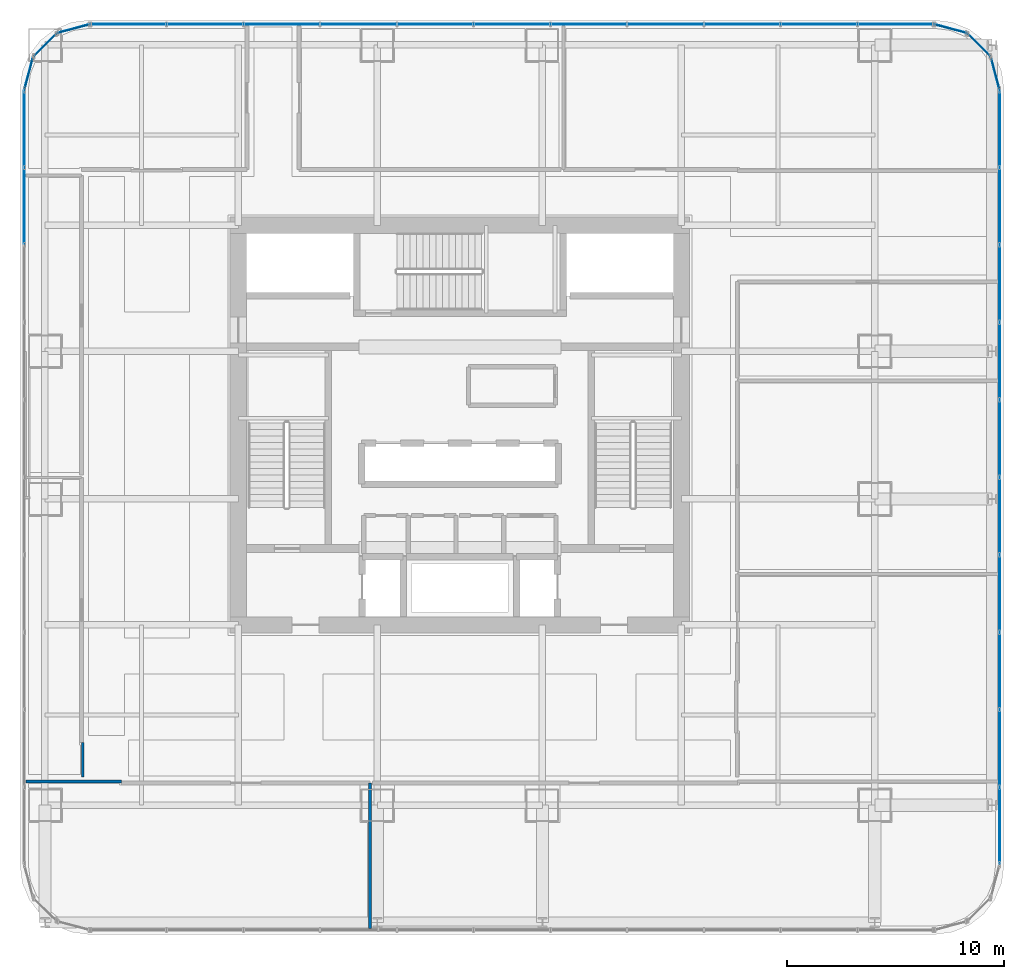
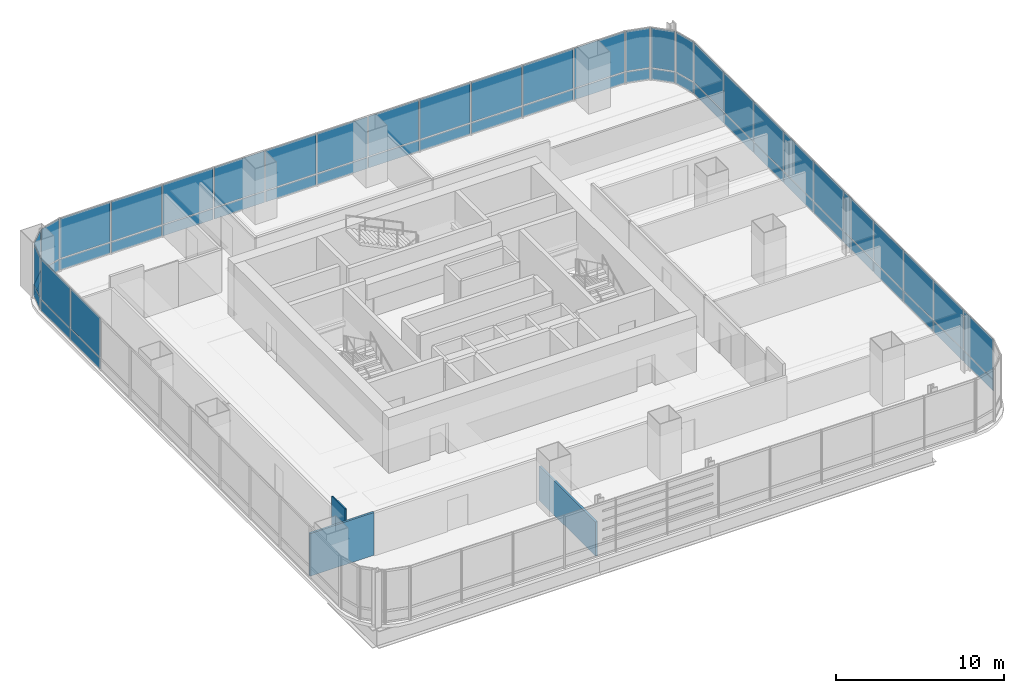
# One storey, part 26 of 35: 58 plates, 3 walls, 9 elements without a shape of their own.
"""IFC4 building model written with IfcOpenShell, lengths in metres."""

from ifc_helpers import new_model, si_unit, direction, frame, frame_2d, origin, origin_2d, place, context, subcontext, project, spatial, rectangle, extrude, material, layer, layer_set, type_object, element, aggregate, save


model = new_model("IFC4")

# Units and contexts
model_context = context("Model", 3, precision=1e-05, world=origin(), true_north=direction((0.0, 1.0)))
body_context = subcontext(model_context, "Body", "Model", "MODEL_VIEW")
ifc_project = project(units=[si_unit("LENGTHUNIT", "METRE"), si_unit("AREAUNIT", "SQUARE_METRE"), si_unit("VOLUMEUNIT", "CUBIC_METRE"), si_unit("PLANEANGLEUNIT", "RADIAN"), si_unit("MASSUNIT", "GRAM", prefix="KILO")], contexts=[model_context])

# Site, building, storey
site_placement = place(None, origin())
site = spatial("IfcSite", under=ifc_project, at=site_placement, CompositionType="ELEMENT")
building_placement = place(site_placement, origin())
building = spatial("IfcBuilding", under=site, at=building_placement, Name="Punatoya Terracotta Tower", CompositionType="ELEMENT")
storey_placement = place(building_placement, frame((0.0, 0.0, 64.64990234375)))
storey = spatial("IfcBuildingStorey", under=building, at=storey_placement, Name="L14", CompositionType="ELEMENT", Elevation=64.64990234375)

# Curtain wall, plates
ifc_material_1 = material(Name="Aluminium 6063-T6 + Double Low-E Glass", Category="aluminium")
curtain_wall_type = type_object("IfcCurtainWallType", Name="CW-M1", PredefinedType="NOTDEFINED", material=ifc_material_1)
curtain_wall_1_placement = place(storey_placement, origin())
curtain_wall_1 = element("IfcCurtainWall", 1, at=curtain_wall_1_placement, inside=storey, type_object=curtain_wall_type, Name="L14 Curtain Wall CW-L14-E05-1", PredefinedType="NOTDEFINED")
ifc_material_2 = material(Name="Double Low-E Clear Vision Glass", Category="glass")
ifc_layer_1 = layer(ifc_material_2, 0.028076171875)
ifc_layer_set_1 = layer_set([ifc_layer_1], Name="Double Low-E Clear Vision Glass")
plate_type_1 = type_object("IfcPlateType", Name="PLT-GLZ-28", PredefinedType="CURTAIN_PANEL", material=ifc_layer_set_1)
plate_1_placement = place(storey_placement, frame((24.85009765625, -18.453125, 0.89013671875), z_axis=(0.0, 0.0, 1.0), x_axis=(0.0, 1.0, 0.0)))
plate_1 = element("IfcPlate", 2, at=plate_1_placement, type_object=plate_type_1, Name="CW-L14-E05-1 Vision Glass Panel 1", PredefinedType="CURTAIN_PANEL", context=body_context, shape_type="SweptSolid", body=[
    extrude(rectangle(XDim=3.482421875, YDim=0.028076171875, at=origin_2d()), origin(), (0.0, 0.0, 1.0), 2.8798828125),
])
plate_2_placement = place(storey_placement, frame((24.85009765625, -14.8857421875, 0.89013671875), z_axis=(0.0, 0.0, 1.0), x_axis=(0.0, 1.0, 0.0)))
plate_2 = element("IfcPlate", 3, at=plate_2_placement, type_object=plate_type_1, Name="CW-L14-E05-1 Vision Glass Panel 2", PredefinedType="CURTAIN_PANEL", context=body_context, shape_type="SweptSolid", body=[
    extrude(rectangle(XDim=3.482421875, YDim=0.028076171875, at=origin_2d()), origin(), (0.0, 0.0, 1.0), 2.8798828125),
])
plate_3_placement = place(storey_placement, frame((24.85009765625, -11.318359375, 0.89013671875), z_axis=(0.0, 0.0, 1.0), x_axis=(0.0, 1.0, 0.0)))
plate_3 = element("IfcPlate", 4, at=plate_3_placement, type_object=plate_type_1, Name="CW-L14-E05-1 Vision Glass Panel 3", PredefinedType="CURTAIN_PANEL", context=body_context, shape_type="SweptSolid", body=[
    extrude(rectangle(XDim=3.482421875, YDim=0.028076171875, at=origin_2d()), origin(), (0.0, 0.0, 1.0), 2.8798828125),
])
plate_4_placement = place(storey_placement, frame((24.85009765625, -7.751220703125, 0.89013671875), z_axis=(0.0, 0.0, 1.0), x_axis=(0.0, 1.0, 0.0)))
plate_4 = element("IfcPlate", 5, at=plate_4_placement, type_object=plate_type_1, Name="CW-L14-E05-1 Vision Glass Panel 4", PredefinedType="CURTAIN_PANEL", context=body_context, shape_type="SweptSolid", body=[
    extrude(rectangle(XDim=3.482421875, YDim=0.028076171875, at=origin_2d()), origin(), (0.0, 0.0, 1.0), 2.8798828125),
])
plate_5_placement = place(storey_placement, frame((24.85009765625, -4.18359375, 0.89013671875), z_axis=(0.0, 0.0, 1.0), x_axis=(0.0, 1.0, 0.0)))
plate_5 = element("IfcPlate", 6, at=plate_5_placement, type_object=plate_type_1, Name="CW-L14-E05-1 Vision Glass Panel 5", PredefinedType="CURTAIN_PANEL", context=body_context, shape_type="SweptSolid", body=[
    extrude(rectangle(XDim=3.482421875, YDim=0.028076171875, at=origin_2d()), origin(), (0.0, 0.0, 1.0), 2.8798828125),
])
plate_6_placement = place(storey_placement, frame((24.85009765625, -0.6162109375, 0.89013671875), z_axis=(0.0, 0.0, 1.0), x_axis=(0.0, 1.0, 0.0)))
plate_6 = element("IfcPlate", 7, at=plate_6_placement, type_object=plate_type_1, Name="CW-L14-E05-1 Vision Glass Panel 6", PredefinedType="CURTAIN_PANEL", context=body_context, shape_type="SweptSolid", body=[
    extrude(rectangle(XDim=3.482421875, YDim=0.028076171875, at=origin_2d()), origin(), (0.0, 0.0, 1.0), 2.8798828125),
])
plate_7_placement = place(storey_placement, frame((24.85009765625, 2.951171875, 0.89013671875), z_axis=(0.0, 0.0, 1.0), x_axis=(0.0, 1.0, 0.0)))
plate_7 = element("IfcPlate", 8, at=plate_7_placement, type_object=plate_type_1, Name="CW-L14-E05-1 Vision Glass Panel 7", PredefinedType="CURTAIN_PANEL", context=body_context, shape_type="SweptSolid", body=[
    extrude(rectangle(XDim=3.482421875, YDim=0.028076171875, at=origin_2d()), origin(), (0.0, 0.0, 1.0), 2.8798828125),
])
plate_8_placement = place(storey_placement, frame((24.85009765625, 6.518310546875, 0.89013671875), z_axis=(0.0, 0.0, 1.0), x_axis=(0.0, 1.0, 0.0)))
plate_8 = element("IfcPlate", 9, at=plate_8_placement, type_object=plate_type_1, Name="CW-L14-E05-1 Vision Glass Panel 8", PredefinedType="CURTAIN_PANEL", context=body_context, shape_type="SweptSolid", body=[
    extrude(rectangle(XDim=3.482421875, YDim=0.028076171875, at=origin_2d()), origin(), (0.0, 0.0, 1.0), 2.8798828125),
])
plate_9_placement = place(storey_placement, frame((24.85009765625, 10.085693359375, 0.89013671875), z_axis=(0.0, 0.0, 1.0), x_axis=(0.0, 1.0, 0.0)))
plate_9 = element("IfcPlate", 10, at=plate_9_placement, type_object=plate_type_1, Name="CW-L14-E05-1 Vision Glass Panel 9", PredefinedType="CURTAIN_PANEL", context=body_context, shape_type="SweptSolid", body=[
    extrude(rectangle(XDim=3.482421875, YDim=0.028076171875, at=origin_2d()), origin(), (0.0, 0.0, 1.0), 2.8798828125),
])
plate_10_placement = place(storey_placement, frame((24.85009765625, 13.6533203125, 0.89013671875), z_axis=(0.0, 0.0, 1.0), x_axis=(0.0, 1.0, 0.0)))
plate_10 = element("IfcPlate", 11, at=plate_10_placement, type_object=plate_type_1, Name="CW-L14-E05-1 Vision Glass Panel 10", PredefinedType="CURTAIN_PANEL", context=body_context, shape_type="SweptSolid", body=[
    extrude(rectangle(XDim=3.482421875, YDim=0.028076171875, at=origin_2d()), origin(), (0.0, 0.0, 1.0), 2.8798828125),
])

# Curtain wall, plate
curtain_wall_2_placement = place(storey_placement, origin())
curtain_wall_2 = element("IfcCurtainWall", 12, at=curtain_wall_2_placement, inside=storey, type_object=curtain_wall_type, Name="L14 Curtain Wall CW-L14-CRN06", PredefinedType="NOTDEFINED")
plate_11_placement = place(storey_placement, frame((24.648193359375, 16.193115234375, 0.89013671875), z_axis=(0.0, 0.0, 1.0), x_axis=(-0.257741620719, 0.966213877436, 0.0)))
plate_11 = element("IfcPlate", 13, at=plate_11_placement, type_object=plate_type_1, Name="CW-L14-CRN06 Vision Glass Panel 1", PredefinedType="CURTAIN_PANEL", context=body_context, shape_type="SweptSolid", body=[
    extrude(rectangle(XDim=1.47998046875, YDim=0.028076171875, at=origin_2d()), origin(), (0.0, 0.0, 1.0), 2.8798828125),
])

curtain_wall_3_placement = place(storey_placement, origin())
curtain_wall_3 = element("IfcCurtainWall", 14, at=curtain_wall_3_placement, inside=storey, type_object=curtain_wall_type, Name="L14 Curtain Wall CW-L14-CRN07", PredefinedType="NOTDEFINED")
plate_12_placement = place(storey_placement, frame((23.89794921875, 17.497802734375, 0.89013671875), z_axis=(0.0, 0.0, 1.0), x_axis=(-0.707106781187, 0.707106781187, 0.0)))
plate_12 = element("IfcPlate", 15, at=plate_12_placement, type_object=plate_type_1, Name="CW-L14-CRN07 Vision Glass Panel 1", PredefinedType="CURTAIN_PANEL", context=body_context, shape_type="SweptSolid", body=[
    extrude(rectangle(XDim=1.467041015625, YDim=0.028076171875, at=origin_2d()), origin(), (0.0, 0.0, 1.0), 2.8798828125),
])

curtain_wall_4_placement = place(storey_placement, origin())
curtain_wall_4 = element("IfcCurtainWall", 16, at=curtain_wall_4_placement, inside=storey, type_object=curtain_wall_type, Name="L14 Curtain Wall CW-L14-CRN08", PredefinedType="NOTDEFINED")
plate_13_placement = place(storey_placement, frame((22.593017578125, 18.248291015625, 0.89013671875), z_axis=(0.0, 0.0, 1.0), x_axis=(-0.966213877436, 0.257741620719, 0.0)))
plate_13 = element("IfcPlate", 17, at=plate_13_placement, type_object=plate_type_1, Name="CW-L14-CRN08 Vision Glass Panel 1", PredefinedType="CURTAIN_PANEL", context=body_context, shape_type="SweptSolid", body=[
    extrude(rectangle(XDim=1.47998046875, YDim=0.028076171875, at=origin_2d()), origin(), (0.0, 0.0, 1.0), 2.8798828125),
])

# Curtain wall, plates
curtain_wall_5_placement = place(storey_placement, origin())
curtain_wall_5 = element("IfcCurtainWall", 18, at=curtain_wall_5_placement, inside=storey, type_object=curtain_wall_type, Name="L14 Curtain Wall CW-L14-N09-1", PredefinedType="NOTDEFINED")
plate_14_placement = place(storey_placement, frame((20.06982421875, 18.449951171875, 0.89013671875), z_axis=(0.0, 0.0, 1.0), x_axis=(-1.0, 0.0, 0.0)))
plate_14 = element("IfcPlate", 19, at=plate_14_placement, type_object=plate_type_1, Name="CW-L14-N09-1 Vision Glass Panel 1", PredefinedType="CURTAIN_PANEL", context=body_context, shape_type="SweptSolid", body=[
    extrude(rectangle(XDim=3.448974609375, YDim=0.028076171875, at=origin_2d()), origin(), (0.0, 0.0, 1.0), 2.8798828125),
])
plate_15_placement = place(storey_placement, frame((16.535888671875, 18.449951171875, 0.89013671875), z_axis=(0.0, 0.0, 1.0), x_axis=(-1.0, 0.0, 0.0)))
plate_15 = element("IfcPlate", 20, at=plate_15_placement, type_object=plate_type_1, Name="CW-L14-N09-1 Vision Glass Panel 2", PredefinedType="CURTAIN_PANEL", context=body_context, shape_type="SweptSolid", body=[
    extrude(rectangle(XDim=3.448974609375, YDim=0.028076171875, at=origin_2d()), origin(), (0.0, 0.0, 1.0), 2.8798828125),
])
plate_16_placement = place(storey_placement, frame((13.001953125, 18.449951171875, 0.89013671875), z_axis=(0.0, 0.0, 1.0), x_axis=(-1.0, 0.0, 0.0)))
plate_16 = element("IfcPlate", 21, at=plate_16_placement, type_object=plate_type_1, Name="CW-L14-N09-1 Vision Glass Panel 3", PredefinedType="CURTAIN_PANEL", context=body_context, shape_type="SweptSolid", body=[
    extrude(rectangle(XDim=3.448974609375, YDim=0.028076171875, at=origin_2d()), origin(), (0.0, 0.0, 1.0), 2.8798828125),
])
plate_17_placement = place(storey_placement, frame((9.468017578125, 18.449951171875, 0.89013671875), z_axis=(0.0, 0.0, 1.0), x_axis=(-1.0, 0.0, 0.0)))
plate_17 = element("IfcPlate", 22, at=plate_17_placement, type_object=plate_type_1, Name="CW-L14-N09-1 Vision Glass Panel 4", PredefinedType="CURTAIN_PANEL", context=body_context, shape_type="SweptSolid", body=[
    extrude(rectangle(XDim=3.448974609375, YDim=0.028076171875, at=origin_2d()), origin(), (0.0, 0.0, 1.0), 2.8798828125),
])
plate_18_placement = place(storey_placement, frame((5.93408203125, 18.449951171875, 0.89013671875), z_axis=(0.0, 0.0, 1.0), x_axis=(-1.0, 0.0, 0.0)))
plate_18 = element("IfcPlate", 23, at=plate_18_placement, type_object=plate_type_1, Name="CW-L14-N09-1 Vision Glass Panel 5", PredefinedType="CURTAIN_PANEL", context=body_context, shape_type="SweptSolid", body=[
    extrude(rectangle(XDim=3.448974609375, YDim=0.028076171875, at=origin_2d()), origin(), (0.0, 0.0, 1.0), 2.8798828125),
])
plate_19_placement = place(storey_placement, frame((2.39990234375, 18.449951171875, 0.89013671875), z_axis=(0.0, 0.0, 1.0), x_axis=(-1.0, 0.0, 0.0)))
plate_19 = element("IfcPlate", 24, at=plate_19_placement, type_object=plate_type_1, Name="CW-L14-N09-1 Vision Glass Panel 6", PredefinedType="CURTAIN_PANEL", context=body_context, shape_type="SweptSolid", body=[
    extrude(rectangle(XDim=3.448974609375, YDim=0.028076171875, at=origin_2d()), origin(), (0.0, 0.0, 1.0), 2.8798828125),
])
plate_20_placement = place(storey_placement, frame((-1.134033203125, 18.449951171875, 0.89013671875), z_axis=(0.0, 0.0, 1.0), x_axis=(-1.0, 0.0, 0.0)))
plate_20 = element("IfcPlate", 25, at=plate_20_placement, type_object=plate_type_1, Name="CW-L14-N09-1 Vision Glass Panel 7", PredefinedType="CURTAIN_PANEL", context=body_context, shape_type="SweptSolid", body=[
    extrude(rectangle(XDim=3.448974609375, YDim=0.028076171875, at=origin_2d()), origin(), (0.0, 0.0, 1.0), 2.8798828125),
])
plate_21_placement = place(storey_placement, frame((-4.66796875, 18.449951171875, 0.89013671875), z_axis=(0.0, 0.0, 1.0), x_axis=(-1.0, 0.0, 0.0)))
plate_21 = element("IfcPlate", 26, at=plate_21_placement, type_object=plate_type_1, Name="CW-L14-N09-1 Vision Glass Panel 8", PredefinedType="CURTAIN_PANEL", context=body_context, shape_type="SweptSolid", body=[
    extrude(rectangle(XDim=3.448974609375, YDim=0.028076171875, at=origin_2d()), origin(), (0.0, 0.0, 1.0), 2.8798828125),
])
plate_22_placement = place(storey_placement, frame((-8.201904296875, 18.449951171875, 0.89013671875), z_axis=(0.0, 0.0, 1.0), x_axis=(-1.0, 0.0, 0.0)))
plate_22 = element("IfcPlate", 27, at=plate_22_placement, type_object=plate_type_1, Name="CW-L14-N09-1 Vision Glass Panel 9", PredefinedType="CURTAIN_PANEL", context=body_context, shape_type="SweptSolid", body=[
    extrude(rectangle(XDim=3.448974609375, YDim=0.028076171875, at=origin_2d()), origin(), (0.0, 0.0, 1.0), 2.8798828125),
])
plate_23_placement = place(storey_placement, frame((-11.73583984375, 18.449951171875, 0.89013671875), z_axis=(0.0, 0.0, 1.0), x_axis=(-1.0, 0.0, 0.0)))
plate_23 = element("IfcPlate", 28, at=plate_23_placement, type_object=plate_type_1, Name="CW-L14-N09-1 Vision Glass Panel 10", PredefinedType="CURTAIN_PANEL", context=body_context, shape_type="SweptSolid", body=[
    extrude(rectangle(XDim=3.448974609375, YDim=0.028076171875, at=origin_2d()), origin(), (0.0, 0.0, 1.0), 2.8798828125),
])
plate_24_placement = place(storey_placement, frame((-15.27001953125, 18.449951171875, 0.89013671875), z_axis=(0.0, 0.0, 1.0), x_axis=(-1.0, 0.0, 0.0)))
plate_24 = element("IfcPlate", 29, at=plate_24_placement, type_object=plate_type_1, Name="CW-L14-N09-1 Vision Glass Panel 11", PredefinedType="CURTAIN_PANEL", context=body_context, shape_type="SweptSolid", body=[
    extrude(rectangle(XDim=3.448974609375, YDim=0.028076171875, at=origin_2d()), origin(), (0.0, 0.0, 1.0), 2.8798828125),
])

# Curtain wall, plate
curtain_wall_6_placement = place(storey_placement, origin())
curtain_wall_6 = element("IfcCurtainWall", 30, at=curtain_wall_6_placement, inside=storey, type_object=curtain_wall_type, Name="L14 Curtain Wall CW-L14-CRN10", PredefinedType="NOTDEFINED")
plate_25_placement = place(storey_placement, frame((-17.79296875, 18.248291015625, 0.89013671875), z_axis=(0.0, 0.0, 1.0), x_axis=(-0.966213877436, -0.257741620719, 0.0)))
plate_25 = element("IfcPlate", 31, at=plate_25_placement, type_object=plate_type_1, Name="CW-L14-CRN10 Vision Glass Panel 1", PredefinedType="CURTAIN_PANEL", context=body_context, shape_type="SweptSolid", body=[
    extrude(rectangle(XDim=1.47998046875, YDim=0.028076171875, at=origin_2d()), origin(), (0.0, 0.0, 1.0), 2.8798828125),
])

curtain_wall_7_placement = place(storey_placement, origin())
curtain_wall_7 = element("IfcCurtainWall", 32, at=curtain_wall_7_placement, inside=storey, type_object=curtain_wall_type, Name="L14 Curtain Wall CW-L14-CRN11", PredefinedType="NOTDEFINED")
plate_26_placement = place(storey_placement, frame((-19.097900390625, 17.497802734375, 0.89013671875), z_axis=(0.0, 0.0, 1.0), x_axis=(-0.707106781187, -0.707106781187, 0.0)))
plate_26 = element("IfcPlate", 33, at=plate_26_placement, type_object=plate_type_1, Name="CW-L14-CRN11 Vision Glass Panel 1", PredefinedType="CURTAIN_PANEL", context=body_context, shape_type="SweptSolid", body=[
    extrude(rectangle(XDim=1.467041015625, YDim=0.028076171875, at=origin_2d()), origin(), (0.0, 0.0, 1.0), 2.8798828125),
])

curtain_wall_8_placement = place(storey_placement, origin())
curtain_wall_8 = element("IfcCurtainWall", 34, at=curtain_wall_8_placement, inside=storey, type_object=curtain_wall_type, Name="L14 Curtain Wall CW-L14-CRN12", PredefinedType="NOTDEFINED")
plate_27_placement = place(storey_placement, frame((-19.848388671875, 16.193115234375, 0.89013671875), z_axis=(0.0, 0.0, 1.0), x_axis=(-0.257741620719, -0.966213877436, 0.0)))
plate_27 = element("IfcPlate", 35, at=plate_27_placement, type_object=plate_type_1, Name="CW-L14-CRN12 Vision Glass Panel 1", PredefinedType="CURTAIN_PANEL", context=body_context, shape_type="SweptSolid", body=[
    extrude(rectangle(XDim=1.47998046875, YDim=0.028076171875, at=origin_2d()), origin(), (0.0, 0.0, 1.0), 2.8798828125),
])

# Curtain wall, plates
curtain_wall_9_placement = place(storey_placement, origin())
curtain_wall_9 = element("IfcCurtainWall", 36, at=curtain_wall_9_placement, inside=storey, type_object=curtain_wall_type, Name="L14 Curtain Wall CW-L14-W13-1", PredefinedType="NOTDEFINED")
plate_28_placement = place(storey_placement, frame((-20.050048828125, 13.6533203125, 0.89013671875), z_axis=(0.0, 0.0, 1.0), x_axis=(0.0, -1.0, 0.0)))
plate_28 = element("IfcPlate", 37, at=plate_28_placement, type_object=plate_type_1, Name="CW-L14-W13-1 Vision Glass Panel 1", PredefinedType="CURTAIN_PANEL", context=body_context, shape_type="SweptSolid", body=[
    extrude(rectangle(XDim=3.482421875, YDim=0.028076171875, at=origin_2d()), origin(), (0.0, 0.0, 1.0), 2.8798828125),
])
plate_29_placement = place(storey_placement, frame((-20.050048828125, 10.085693359375, 0.89013671875), z_axis=(0.0, 0.0, 1.0), x_axis=(0.0, -1.0, 0.0)))
plate_29 = element("IfcPlate", 38, at=plate_29_placement, type_object=plate_type_1, Name="CW-L14-W13-1 Vision Glass Panel 2", PredefinedType="CURTAIN_PANEL", context=body_context, shape_type="SweptSolid", body=[
    extrude(rectangle(XDim=3.482421875, YDim=0.028076171875, at=origin_2d()), origin(), (0.0, 0.0, 1.0), 2.8798828125),
])

# Plate
ifc_material_3 = material(Name="Insulated Terracotta-Backed Spandrel Panel", Category="masonry")
ifc_layer_2 = layer(ifc_material_3, 0.044921875)
ifc_layer_set_2 = layer_set([ifc_layer_2], Name="Insulated Terracotta-Backed Spandrel Panel")
plate_type_2 = type_object("IfcPlateType", Name="PLT-SPN-45", PredefinedType="CURTAIN_PANEL", material=ifc_layer_set_2)
plate_30_placement = place(storey_placement, frame((24.85009765625, -18.453125, 0.0400390625), z_axis=(0.0, 0.0, 1.0), x_axis=(0.0, 1.0, 0.0)))
plate_30 = element("IfcPlate", 39, at=plate_30_placement, type_object=plate_type_2, Name="CW-L14-E05-1 Terracotta Spandrel Panel 1", PredefinedType="CURTAIN_PANEL", context=body_context, shape_type="SweptSolid", body=[
    extrude(rectangle(XDim=3.482421875, YDim=0.044921875, at=origin_2d()), origin(), (0.0, 0.0, 1.0), 0.77490234375),
])

plate_31_placement = place(storey_placement, frame((24.85009765625, -14.8857421875, 0.0400390625), z_axis=(0.0, 0.0, 1.0), x_axis=(0.0, 1.0, 0.0)))
plate_31 = element("IfcPlate", 40, at=plate_31_placement, type_object=plate_type_2, Name="CW-L14-E05-1 Terracotta Spandrel Panel 2", PredefinedType="CURTAIN_PANEL", context=body_context, shape_type="SweptSolid", body=[
    extrude(rectangle(XDim=3.482421875, YDim=0.044921875, at=origin_2d()), origin(), (0.0, 0.0, 1.0), 0.77490234375),
])

plate_32_placement = place(storey_placement, frame((24.85009765625, -11.318359375, 0.0400390625), z_axis=(0.0, 0.0, 1.0), x_axis=(0.0, 1.0, 0.0)))
plate_32 = element("IfcPlate", 41, at=plate_32_placement, type_object=plate_type_2, Name="CW-L14-E05-1 Terracotta Spandrel Panel 3", PredefinedType="CURTAIN_PANEL", context=body_context, shape_type="SweptSolid", body=[
    extrude(rectangle(XDim=3.482421875, YDim=0.044921875, at=origin_2d()), origin(), (0.0, 0.0, 1.0), 0.77490234375),
])

plate_33_placement = place(storey_placement, frame((24.85009765625, -7.751220703125, 0.0400390625), z_axis=(0.0, 0.0, 1.0), x_axis=(0.0, 1.0, 0.0)))
plate_33 = element("IfcPlate", 42, at=plate_33_placement, type_object=plate_type_2, Name="CW-L14-E05-1 Terracotta Spandrel Panel 4", PredefinedType="CURTAIN_PANEL", context=body_context, shape_type="SweptSolid", body=[
    extrude(rectangle(XDim=3.482421875, YDim=0.044921875, at=origin_2d()), origin(), (0.0, 0.0, 1.0), 0.77490234375),
])

plate_34_placement = place(storey_placement, frame((24.85009765625, -4.18359375, 0.0400390625), z_axis=(0.0, 0.0, 1.0), x_axis=(0.0, 1.0, 0.0)))
plate_34 = element("IfcPlate", 43, at=plate_34_placement, type_object=plate_type_2, Name="CW-L14-E05-1 Terracotta Spandrel Panel 5", PredefinedType="CURTAIN_PANEL", context=body_context, shape_type="SweptSolid", body=[
    extrude(rectangle(XDim=3.482421875, YDim=0.044921875, at=origin_2d()), origin(), (0.0, 0.0, 1.0), 0.77490234375),
])

plate_35_placement = place(storey_placement, frame((24.85009765625, -0.6162109375, 0.0400390625), z_axis=(0.0, 0.0, 1.0), x_axis=(0.0, 1.0, 0.0)))
plate_35 = element("IfcPlate", 44, at=plate_35_placement, type_object=plate_type_2, Name="CW-L14-E05-1 Terracotta Spandrel Panel 6", PredefinedType="CURTAIN_PANEL", context=body_context, shape_type="SweptSolid", body=[
    extrude(rectangle(XDim=3.482421875, YDim=0.044921875, at=origin_2d()), origin(), (0.0, 0.0, 1.0), 0.77490234375),
])

plate_36_placement = place(storey_placement, frame((24.85009765625, 2.951171875, 0.0400390625), z_axis=(0.0, 0.0, 1.0), x_axis=(0.0, 1.0, 0.0)))
plate_36 = element("IfcPlate", 45, at=plate_36_placement, type_object=plate_type_2, Name="CW-L14-E05-1 Terracotta Spandrel Panel 7", PredefinedType="CURTAIN_PANEL", context=body_context, shape_type="SweptSolid", body=[
    extrude(rectangle(XDim=3.482421875, YDim=0.044921875, at=origin_2d()), origin(), (0.0, 0.0, 1.0), 0.77490234375),
])

plate_37_placement = place(storey_placement, frame((24.85009765625, 6.518310546875, 0.0400390625), z_axis=(0.0, 0.0, 1.0), x_axis=(0.0, 1.0, 0.0)))
plate_37 = element("IfcPlate", 46, at=plate_37_placement, type_object=plate_type_2, Name="CW-L14-E05-1 Terracotta Spandrel Panel 8", PredefinedType="CURTAIN_PANEL", context=body_context, shape_type="SweptSolid", body=[
    extrude(rectangle(XDim=3.482421875, YDim=0.044921875, at=origin_2d()), origin(), (0.0, 0.0, 1.0), 0.77490234375),
])

plate_38_placement = place(storey_placement, frame((24.85009765625, 10.085693359375, 0.0400390625), z_axis=(0.0, 0.0, 1.0), x_axis=(0.0, 1.0, 0.0)))
plate_38 = element("IfcPlate", 47, at=plate_38_placement, type_object=plate_type_2, Name="CW-L14-E05-1 Terracotta Spandrel Panel 9", PredefinedType="CURTAIN_PANEL", context=body_context, shape_type="SweptSolid", body=[
    extrude(rectangle(XDim=3.482421875, YDim=0.044921875, at=origin_2d()), origin(), (0.0, 0.0, 1.0), 0.77490234375),
])

plate_39_placement = place(storey_placement, frame((24.85009765625, 13.6533203125, 0.0400390625), z_axis=(0.0, 0.0, 1.0), x_axis=(0.0, 1.0, 0.0)))
plate_39 = element("IfcPlate", 48, at=plate_39_placement, type_object=plate_type_2, Name="CW-L14-E05-1 Terracotta Spandrel Panel 10", PredefinedType="CURTAIN_PANEL", context=body_context, shape_type="SweptSolid", body=[
    extrude(rectangle(XDim=3.482421875, YDim=0.044921875, at=origin_2d()), origin(), (0.0, 0.0, 1.0), 0.77490234375),
])

aggregate(curtain_wall_1, [plate_30, plate_1, plate_31, plate_2, plate_32, plate_3, plate_33, plate_4, plate_34, plate_5, plate_35, plate_6, plate_36, plate_7, plate_37, plate_8, plate_38, plate_9, plate_39, plate_10])

plate_40_placement = place(storey_placement, frame((24.648193359375, 16.193115234375, 0.0400390625), z_axis=(0.0, 0.0, 1.0), x_axis=(-0.257741620719, 0.966213877436, 0.0)))
plate_40 = element("IfcPlate", 49, at=plate_40_placement, type_object=plate_type_2, Name="CW-L14-CRN06 Terracotta Spandrel Panel 1", PredefinedType="CURTAIN_PANEL", context=body_context, shape_type="SweptSolid", body=[
    extrude(rectangle(XDim=1.47998046875, YDim=0.044921875, at=origin_2d()), origin(), (0.0, 0.0, 1.0), 0.77490234375),
])

aggregate(curtain_wall_2, [plate_40, plate_11])

plate_41_placement = place(storey_placement, frame((23.89794921875, 17.497802734375, 0.0400390625), z_axis=(0.0, 0.0, 1.0), x_axis=(-0.707106781187, 0.707106781187, 0.0)))
plate_41 = element("IfcPlate", 50, at=plate_41_placement, type_object=plate_type_2, Name="CW-L14-CRN07 Terracotta Spandrel Panel 1", PredefinedType="CURTAIN_PANEL", context=body_context, shape_type="SweptSolid", body=[
    extrude(rectangle(XDim=1.467041015625, YDim=0.044921875, at=origin_2d()), origin(), (0.0, 0.0, 1.0), 0.77490234375),
])

aggregate(curtain_wall_3, [plate_41, plate_12])

plate_42_placement = place(storey_placement, frame((22.593017578125, 18.248291015625, 0.0400390625), z_axis=(0.0, 0.0, 1.0), x_axis=(-0.966213877436, 0.257741620719, 0.0)))
plate_42 = element("IfcPlate", 51, at=plate_42_placement, type_object=plate_type_2, Name="CW-L14-CRN08 Terracotta Spandrel Panel 1", PredefinedType="CURTAIN_PANEL", context=body_context, shape_type="SweptSolid", body=[
    extrude(rectangle(XDim=1.47998046875, YDim=0.044921875, at=origin_2d()), origin(), (0.0, 0.0, 1.0), 0.77490234375),
])

aggregate(curtain_wall_4, [plate_42, plate_13])

plate_43_placement = place(storey_placement, frame((20.06982421875, 18.449951171875, 0.0400390625), z_axis=(0.0, 0.0, 1.0), x_axis=(-1.0, 0.0, 0.0)))
plate_43 = element("IfcPlate", 52, at=plate_43_placement, type_object=plate_type_2, Name="CW-L14-N09-1 Terracotta Spandrel Panel 1", PredefinedType="CURTAIN_PANEL", context=body_context, shape_type="SweptSolid", body=[
    extrude(rectangle(XDim=3.448974609375, YDim=0.044921875, at=origin_2d()), origin(), (0.0, 0.0, 1.0), 0.77490234375),
])

plate_44_placement = place(storey_placement, frame((16.535888671875, 18.449951171875, 0.0400390625), z_axis=(0.0, 0.0, 1.0), x_axis=(-1.0, 0.0, 0.0)))
plate_44 = element("IfcPlate", 53, at=plate_44_placement, type_object=plate_type_2, Name="CW-L14-N09-1 Terracotta Spandrel Panel 2", PredefinedType="CURTAIN_PANEL", context=body_context, shape_type="SweptSolid", body=[
    extrude(rectangle(XDim=3.448974609375, YDim=0.044921875, at=origin_2d()), origin(), (0.0, 0.0, 1.0), 0.77490234375),
])

plate_45_placement = place(storey_placement, frame((13.001953125, 18.449951171875, 0.0400390625), z_axis=(0.0, 0.0, 1.0), x_axis=(-1.0, 0.0, 0.0)))
plate_45 = element("IfcPlate", 54, at=plate_45_placement, type_object=plate_type_2, Name="CW-L14-N09-1 Terracotta Spandrel Panel 3", PredefinedType="CURTAIN_PANEL", context=body_context, shape_type="SweptSolid", body=[
    extrude(rectangle(XDim=3.448974609375, YDim=0.044921875, at=origin_2d()), origin(), (0.0, 0.0, 1.0), 0.77490234375),
])

plate_46_placement = place(storey_placement, frame((9.468017578125, 18.449951171875, 0.0400390625), z_axis=(0.0, 0.0, 1.0), x_axis=(-1.0, 0.0, 0.0)))
plate_46 = element("IfcPlate", 55, at=plate_46_placement, type_object=plate_type_2, Name="CW-L14-N09-1 Terracotta Spandrel Panel 4", PredefinedType="CURTAIN_PANEL", context=body_context, shape_type="SweptSolid", body=[
    extrude(rectangle(XDim=3.448974609375, YDim=0.044921875, at=origin_2d()), origin(), (0.0, 0.0, 1.0), 0.77490234375),
])

plate_47_placement = place(storey_placement, frame((5.93408203125, 18.449951171875, 0.0400390625), z_axis=(0.0, 0.0, 1.0), x_axis=(-1.0, 0.0, 0.0)))
plate_47 = element("IfcPlate", 56, at=plate_47_placement, type_object=plate_type_2, Name="CW-L14-N09-1 Terracotta Spandrel Panel 5", PredefinedType="CURTAIN_PANEL", context=body_context, shape_type="SweptSolid", body=[
    extrude(rectangle(XDim=3.448974609375, YDim=0.044921875, at=origin_2d()), origin(), (0.0, 0.0, 1.0), 0.77490234375),
])

plate_48_placement = place(storey_placement, frame((2.39990234375, 18.449951171875, 0.0400390625), z_axis=(0.0, 0.0, 1.0), x_axis=(-1.0, 0.0, 0.0)))
plate_48 = element("IfcPlate", 57, at=plate_48_placement, type_object=plate_type_2, Name="CW-L14-N09-1 Terracotta Spandrel Panel 6", PredefinedType="CURTAIN_PANEL", context=body_context, shape_type="SweptSolid", body=[
    extrude(rectangle(XDim=3.448974609375, YDim=0.044921875, at=origin_2d()), origin(), (0.0, 0.0, 1.0), 0.77490234375),
])

plate_49_placement = place(storey_placement, frame((-1.134033203125, 18.449951171875, 0.0400390625), z_axis=(0.0, 0.0, 1.0), x_axis=(-1.0, 0.0, 0.0)))
plate_49 = element("IfcPlate", 58, at=plate_49_placement, type_object=plate_type_2, Name="CW-L14-N09-1 Terracotta Spandrel Panel 7", PredefinedType="CURTAIN_PANEL", context=body_context, shape_type="SweptSolid", body=[
    extrude(rectangle(XDim=3.448974609375, YDim=0.044921875, at=origin_2d()), origin(), (0.0, 0.0, 1.0), 0.77490234375),
])

plate_50_placement = place(storey_placement, frame((-4.66796875, 18.449951171875, 0.0400390625), z_axis=(0.0, 0.0, 1.0), x_axis=(-1.0, 0.0, 0.0)))
plate_50 = element("IfcPlate", 59, at=plate_50_placement, type_object=plate_type_2, Name="CW-L14-N09-1 Terracotta Spandrel Panel 8", PredefinedType="CURTAIN_PANEL", context=body_context, shape_type="SweptSolid", body=[
    extrude(rectangle(XDim=3.448974609375, YDim=0.044921875, at=origin_2d()), origin(), (0.0, 0.0, 1.0), 0.77490234375),
])

plate_51_placement = place(storey_placement, frame((-8.201904296875, 18.449951171875, 0.0400390625), z_axis=(0.0, 0.0, 1.0), x_axis=(-1.0, 0.0, 0.0)))
plate_51 = element("IfcPlate", 60, at=plate_51_placement, type_object=plate_type_2, Name="CW-L14-N09-1 Terracotta Spandrel Panel 9", PredefinedType="CURTAIN_PANEL", context=body_context, shape_type="SweptSolid", body=[
    extrude(rectangle(XDim=3.448974609375, YDim=0.044921875, at=origin_2d()), origin(), (0.0, 0.0, 1.0), 0.77490234375),
])

plate_52_placement = place(storey_placement, frame((-11.73583984375, 18.449951171875, 0.0400390625), z_axis=(0.0, 0.0, 1.0), x_axis=(-1.0, 0.0, 0.0)))
plate_52 = element("IfcPlate", 61, at=plate_52_placement, type_object=plate_type_2, Name="CW-L14-N09-1 Terracotta Spandrel Panel 10", PredefinedType="CURTAIN_PANEL", context=body_context, shape_type="SweptSolid", body=[
    extrude(rectangle(XDim=3.448974609375, YDim=0.044921875, at=origin_2d()), origin(), (0.0, 0.0, 1.0), 0.77490234375),
])

plate_53_placement = place(storey_placement, frame((-15.27001953125, 18.449951171875, 0.0400390625), z_axis=(0.0, 0.0, 1.0), x_axis=(-1.0, 0.0, 0.0)))
plate_53 = element("IfcPlate", 62, at=plate_53_placement, type_object=plate_type_2, Name="CW-L14-N09-1 Terracotta Spandrel Panel 11", PredefinedType="CURTAIN_PANEL", context=body_context, shape_type="SweptSolid", body=[
    extrude(rectangle(XDim=3.448974609375, YDim=0.044921875, at=origin_2d()), origin(), (0.0, 0.0, 1.0), 0.77490234375),
])

aggregate(curtain_wall_5, [plate_43, plate_14, plate_44, plate_15, plate_45, plate_16, plate_46, plate_17, plate_47, plate_18, plate_48, plate_19, plate_49, plate_20, plate_50, plate_21, plate_51, plate_22, plate_52, plate_23, plate_53, plate_24])

plate_54_placement = place(storey_placement, frame((-17.79296875, 18.248291015625, 0.0400390625), z_axis=(0.0, 0.0, 1.0), x_axis=(-0.966213877436, -0.257741620719, 0.0)))
plate_54 = element("IfcPlate", 63, at=plate_54_placement, type_object=plate_type_2, Name="CW-L14-CRN10 Terracotta Spandrel Panel 1", PredefinedType="CURTAIN_PANEL", context=body_context, shape_type="SweptSolid", body=[
    extrude(rectangle(XDim=1.47998046875, YDim=0.044921875, at=origin_2d()), origin(), (0.0, 0.0, 1.0), 0.77490234375),
])

aggregate(curtain_wall_6, [plate_54, plate_25])

plate_55_placement = place(storey_placement, frame((-19.097900390625, 17.497802734375, 0.0400390625), z_axis=(0.0, 0.0, 1.0), x_axis=(-0.707106781187, -0.707106781187, 0.0)))
plate_55 = element("IfcPlate", 64, at=plate_55_placement, type_object=plate_type_2, Name="CW-L14-CRN11 Terracotta Spandrel Panel 1", PredefinedType="CURTAIN_PANEL", context=body_context, shape_type="SweptSolid", body=[
    extrude(rectangle(XDim=1.467041015625, YDim=0.044921875, at=origin_2d()), origin(), (0.0, 0.0, 1.0), 0.77490234375),
])

aggregate(curtain_wall_7, [plate_55, plate_26])

plate_56_placement = place(storey_placement, frame((-19.848388671875, 16.193115234375, 0.0400390625), z_axis=(0.0, 0.0, 1.0), x_axis=(-0.257741620719, -0.966213877436, 0.0)))
plate_56 = element("IfcPlate", 65, at=plate_56_placement, type_object=plate_type_2, Name="CW-L14-CRN12 Terracotta Spandrel Panel 1", PredefinedType="CURTAIN_PANEL", context=body_context, shape_type="SweptSolid", body=[
    extrude(rectangle(XDim=1.47998046875, YDim=0.044921875, at=origin_2d()), origin(), (0.0, 0.0, 1.0), 0.77490234375),
])

aggregate(curtain_wall_8, [plate_56, plate_27])

plate_57_placement = place(storey_placement, frame((-20.050048828125, 13.6533203125, 0.0400390625), z_axis=(0.0, 0.0, 1.0), x_axis=(0.0, -1.0, 0.0)))
plate_57 = element("IfcPlate", 66, at=plate_57_placement, type_object=plate_type_2, Name="CW-L14-W13-1 Terracotta Spandrel Panel 1", PredefinedType="CURTAIN_PANEL", context=body_context, shape_type="SweptSolid", body=[
    extrude(rectangle(XDim=3.482421875, YDim=0.044921875, at=origin_2d()), origin(), (0.0, 0.0, 1.0), 0.77490234375),
])

plate_58_placement = place(storey_placement, frame((-20.050048828125, 10.085693359375, 0.0400390625), z_axis=(0.0, 0.0, 1.0), x_axis=(0.0, -1.0, 0.0)))
plate_58 = element("IfcPlate", 67, at=plate_58_placement, type_object=plate_type_2, Name="CW-L14-W13-1 Terracotta Spandrel Panel 2", PredefinedType="CURTAIN_PANEL", context=body_context, shape_type="SweptSolid", body=[
    extrude(rectangle(XDim=3.482421875, YDim=0.044921875, at=origin_2d()), origin(), (0.0, 0.0, 1.0), 0.77490234375),
])

aggregate(curtain_wall_9, [plate_57, plate_28, plate_58, plate_29])

# Walls
ifc_material_4 = material(Name="Aluminium Framed Acoustic Glass Partition", Category="aluminium")
ifc_layer_3 = layer(ifc_material_4, 0.10009765625)
ifc_layer_set_3 = layer_set([ifc_layer_3], Name="Aluminium Framed Acoustic Glass Partition")
wall_type_1 = type_object("IfcWallType", Name="WL-GLZ-100", PredefinedType="PARTITIONING", material=ifc_layer_set_3)
wall_1_placement = place(storey_placement, frame((-17.360107421875, -14.6201171875, 0.0), z_axis=(0.0, 0.0, 1.0), x_axis=(0.0, -1.0, 0.0)))
element("IfcWall", 68, at=wall_1_placement, inside=storey, type_object=wall_type_1, Name="L14 Open-Plan Executive Briefing Room Partition 25", PredefinedType="PARTITIONING", context=body_context, shape_type="SweptSolid", body=[
    extrude(rectangle(XDim=1.56982421875, YDim=0.10009765625, at=frame_2d((0.784912109375, 0.0))), origin(), (0.0, 0.0, 1.0), 3.81005859375),
])
ifc_material_5 = material(Name="Acoustic Gypsum + Steel Stud", Category="steel")
ifc_layer_4 = layer(ifc_material_5, 0.139892578125)
ifc_layer_set_4 = layer_set([ifc_layer_4], Name="Acoustic Gypsum + Steel Stud")
wall_type_2 = type_object("IfcWallType", Name="WL-OFF-140", PredefinedType="PARTITIONING", material=ifc_layer_set_4)
wall_2_placement = place(storey_placement, frame((-19.969970703125, -16.409912109375, 0.0), z_axis=(0.0, 0.0, 1.0), x_axis=(1.0, 0.0, 0.0)))
element("IfcWall", 69, at=wall_2_placement, inside=storey, type_object=wall_type_2, Name="L14 Open-Plan Plenary Seminar Room Partition 14", PredefinedType="PARTITIONING", context=body_context, shape_type="SweptSolid", body=[
    extrude(rectangle(XDim=4.39990234375, YDim=0.139892578125, at=frame_2d((2.199951171875, 0.0))), origin(), (0.0, 0.0, 1.0), 3.10400390625),
])
wall_3_placement = place(storey_placement, frame((-4.14208984375, -16.469970703125, 0.0), z_axis=(0.0, 0.0, 1.0), x_axis=(0.0, -1.0, 0.0)))
element("IfcWall", 70, at=wall_3_placement, inside=storey, type_object=wall_type_2, Name="L14 Open-Plan Plenary Seminar Room Partition 16", PredefinedType="PARTITIONING", context=body_context, shape_type="SweptSolid", body=[
    extrude(rectangle(XDim=6.699951171875, YDim=0.139892578125, at=frame_2d((3.35009765625, 0.0))), origin(), (0.0, 0.0, 1.0), 2.484130859375),
])

save(model, "model.ifc")
